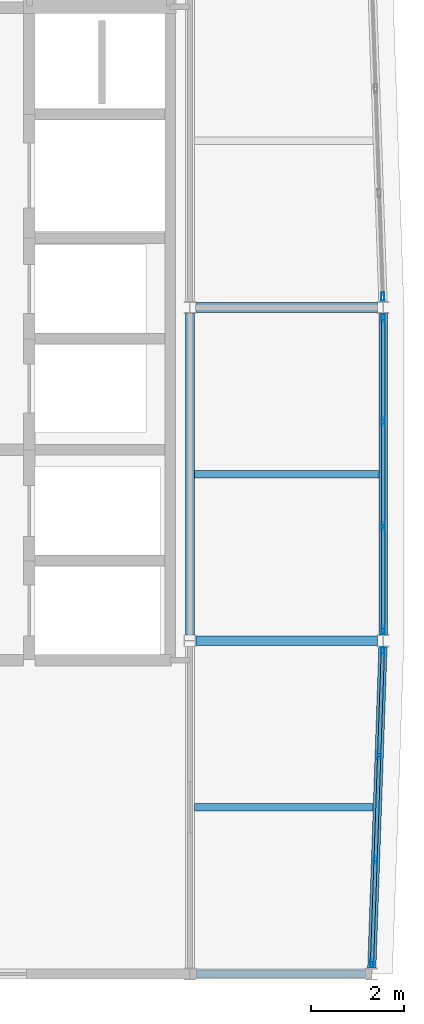
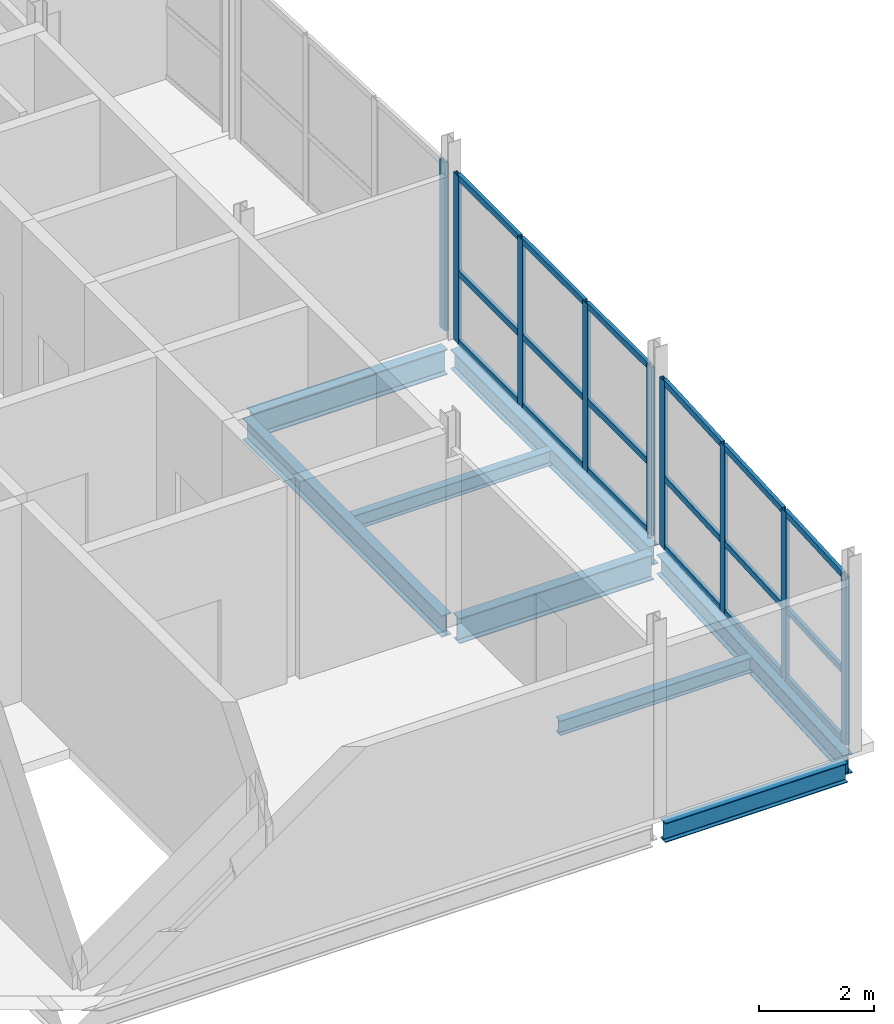
# One storey, part 3 of 14: 27 members, 8 beams, 3 elements without a shape of their own.
"""IFC4 building model written with IfcOpenShell, lengths in metres."""

from ifc_helpers import new_model, si_unit, direction, frame, origin, origin_2d, place, context, subcontext, project, spatial, hollow_rectangle, i_section, extrude, material, layer, layer_set, material_profile, profile_set, type_object, element, aggregate, save


model = new_model("IFC4")

# Units and contexts
model_context = context("Model", 3, precision=1e-05, world=origin(), true_north=direction((0.0, 1.0)))
body_context = subcontext(model_context, "Body", "Model", "MODEL_VIEW")
ifc_project = project(units=[si_unit("LENGTHUNIT", "METRE"), si_unit("AREAUNIT", "SQUARE_METRE"), si_unit("VOLUMEUNIT", "CUBIC_METRE"), si_unit("PLANEANGLEUNIT", "RADIAN"), si_unit("MASSUNIT", "GRAM", prefix="KILO")], contexts=[model_context])

# Site, building, storey
site_placement = place(None, origin())
site = spatial("IfcSite", under=ifc_project, at=site_placement, CompositionType="ELEMENT")
building_placement = place(site_placement, origin())
building = spatial("IfcBuilding", under=site, at=building_placement, Name="Quillay Park Conservatory", CompositionType="ELEMENT")
storey_placement = place(building_placement, frame((0.0, 0.0, 64.5)))
storey = spatial("IfcBuildingStorey", under=building, at=storey_placement, Name="L15", CompositionType="ELEMENT", Elevation=64.5)

# Beams
ifc_material_1 = material(Name="Steel ASTM A992 Grade 50", Category="steel")
ifc_material_profile_1 = material_profile(ifc_material_1, i_section(OverallWidth=0.166015625, OverallDepth=0.31298828125, WebThickness=0.006591796875, FlangeThickness=0.01123046875, FilletRadius=0.010009765625, at=origin_2d()), Name="W310x45")
ifc_profile_set_1 = profile_set([ifc_material_profile_1], Name="Steel ASTM A992 Grade 50")
beam_type_1 = type_object("IfcBeamType", Name="COMPOSITE FLOOR JOIST W310 X45", PredefinedType="JOIST", material=ifc_profile_set_1)
beam_1_placement = place(storey_placement, frame((19.845947265625, 81.60009765625, -0.3564453125), z_axis=(1.0, 0.0, 0.0), x_axis=(0.0, 1.0, 0.0)))
element("IfcBeam", 1, at=beam_1_placement, inside=storey, type_object=beam_type_1, Name="L15 beam BM-J-1021", PredefinedType="JOIST", context=body_context, shape_type="SweptSolid", body=[
    extrude(i_section(OverallWidth=0.166015625, OverallDepth=0.31298828125, WebThickness=0.006591796875, FlangeThickness=0.01123046875, FilletRadius=0.010009765625, at=origin_2d()), origin(), (0.0, 0.0, 1.0), 3.864013671875),
])
beam_2_placement = place(storey_placement, frame((19.845947265625, 88.800048828125, -0.3564453125), z_axis=(1.0, 0.0, 0.0), x_axis=(0.0, 1.0, 0.0)))
element("IfcBeam", 2, at=beam_2_placement, inside=storey, type_object=beam_type_1, Name="L15 beam BM-J-1027", PredefinedType="JOIST", context=body_context, shape_type="SweptSolid", body=[
    extrude(i_section(OverallWidth=0.166015625, OverallDepth=0.31298828125, WebThickness=0.006591796875, FlangeThickness=0.01123046875, FilletRadius=0.010009765625, at=origin_2d()), origin(), (0.0, 0.0, 1.0), 3.989013671875),
])

# Curtain wall, members
ifc_material_2 = material(Name="Thermally Broken Anodised Aluminium 6063-T6", Category="aluminium")
ifc_layer = layer(ifc_material_2, 0.179931640625)
ifc_layer_set = layer_set([ifc_layer], Name="UNITISED CURTAIN WALL TOWER (Thermally Broken Anodised Aluminium 6063-T6)")
curtain_wall_type = type_object("IfcCurtainWallType", Name="UNITISED CURTAIN WALL TOWER", PredefinedType="USERDEFINED", material=ifc_layer_set)
curtain_wall_1_placement = place(storey_placement, origin())
curtain_wall_1 = element("IfcCurtainWall", 3, at=curtain_wall_1_placement, inside=storey, type_object=curtain_wall_type, Name="L15 Unitised Curtain Wall 139", ObjectType="UNITISED CURTAIN WALL", PredefinedType="USERDEFINED")
ifc_material_3 = material(Name="Thermally Broken Anodised Aluminium 6063-T6", Category="aluminium")
ifc_material_profile_2 = material_profile(ifc_material_3, hollow_rectangle(XDim=0.070068359375, YDim=0.179931640625, WallThickness=0.00390625, at=origin_2d()), Name="AL70x180x4")
ifc_profile_set_2 = profile_set([ifc_material_profile_2], Name="Thermally Broken Anodised Aluminium 6063-T6")
member_type_1 = type_object("IfcMemberType", Name="CURTAIN WALL MULLION 70 X180", PredefinedType="MULLION", material=ifc_profile_set_2)
member_1_placement = place(storey_placement, frame((23.9169921875, 84.965087890625, 0.0), z_axis=(0.0, 0.0, 1.0), x_axis=(0.999397310446, -0.034713338537, 0.0)))
member_1 = element("IfcMember", 4, at=member_1_placement, type_object=member_type_1, Name="CW-T1 mullion 1", PredefinedType="MULLION", context=body_context, shape_type="SweptSolid", body=[
    extrude(hollow_rectangle(XDim=0.070068359375, YDim=0.179931640625, WallThickness=0.00390625, at=origin_2d()), origin(), (0.0, 0.0, 1.0), 3.573974609375),
])
member_2_placement = place(storey_placement, frame((23.83935546875, 82.7333984375, 0.0), z_axis=(0.0, 0.0, 1.0), x_axis=(0.999397310446, -0.034713338537, 0.0)))
member_2 = element("IfcMember", 5, at=member_2_placement, type_object=member_type_1, Name="CW-T1 mullion 2", PredefinedType="MULLION", context=body_context, shape_type="SweptSolid", body=[
    extrude(hollow_rectangle(XDim=0.070068359375, YDim=0.179931640625, WallThickness=0.00390625, at=origin_2d()), origin(), (0.0, 0.0, 1.0), 3.573974609375),
])
member_3_placement = place(storey_placement, frame((23.7607421875, 80.466552734375, 0.0), z_axis=(0.0, 0.0, 1.0), x_axis=(0.999397310446, -0.034713338537, 0.0)))
member_3 = element("IfcMember", 6, at=member_3_placement, type_object=member_type_1, Name="CW-T1 mullion 3", PredefinedType="MULLION", context=body_context, shape_type="SweptSolid", body=[
    extrude(hollow_rectangle(XDim=0.070068359375, YDim=0.179931640625, WallThickness=0.00390625, at=origin_2d()), origin(), (0.0, 0.0, 1.0), 3.573974609375),
])
member_4_placement = place(storey_placement, frame((23.68310546875, 78.23486328125, 0.0), z_axis=(0.0, 0.0, 1.0), x_axis=(0.999397310446, -0.034713338537, 0.0)))
member_4 = element("IfcMember", 7, at=member_4_placement, type_object=member_type_1, Name="CW-T1 mullion 4", PredefinedType="MULLION", context=body_context, shape_type="SweptSolid", body=[
    extrude(hollow_rectangle(XDim=0.070068359375, YDim=0.179931640625, WallThickness=0.00390625, at=origin_2d()), origin(), (0.0, 0.0, 1.0), 3.573974609375),
])

curtain_wall_2_placement = place(storey_placement, origin())
curtain_wall_2 = element("IfcCurtainWall", 8, at=curtain_wall_2_placement, inside=storey, type_object=curtain_wall_type, Name="L15 Unitised Curtain Wall 140", ObjectType="UNITISED CURTAIN WALL", PredefinedType="USERDEFINED")
member_5_placement = place(storey_placement, frame((23.925048828125, 92.1650390625, 0.0), z_axis=(0.0, 0.0, 1.0), x_axis=(1.0, 0.0, 0.0)))
member_5 = element("IfcMember", 9, at=member_5_placement, type_object=member_type_1, Name="CW-T1 mullion 1", PredefinedType="MULLION", context=body_context, shape_type="SweptSolid", body=[
    extrude(hollow_rectangle(XDim=0.070068359375, YDim=0.179931640625, WallThickness=0.00390625, at=origin_2d()), origin(), (0.0, 0.0, 1.0), 3.573974609375),
])
member_6_placement = place(storey_placement, frame((23.925048828125, 89.933349609375, 0.0), z_axis=(0.0, 0.0, 1.0), x_axis=(1.0, 0.0, 0.0)))
member_6 = element("IfcMember", 10, at=member_6_placement, type_object=member_type_1, Name="CW-T1 mullion 2", PredefinedType="MULLION", context=body_context, shape_type="SweptSolid", body=[
    extrude(hollow_rectangle(XDim=0.070068359375, YDim=0.179931640625, WallThickness=0.00390625, at=origin_2d()), origin(), (0.0, 0.0, 1.0), 3.573974609375),
])
member_7_placement = place(storey_placement, frame((23.925048828125, 87.666748046875, 0.0), z_axis=(0.0, 0.0, 1.0), x_axis=(1.0, 0.0, 0.0)))
member_7 = element("IfcMember", 11, at=member_7_placement, type_object=member_type_1, Name="CW-T1 mullion 3", PredefinedType="MULLION", context=body_context, shape_type="SweptSolid", body=[
    extrude(hollow_rectangle(XDim=0.070068359375, YDim=0.179931640625, WallThickness=0.00390625, at=origin_2d()), origin(), (0.0, 0.0, 1.0), 3.573974609375),
])
member_8_placement = place(storey_placement, frame((23.925048828125, 85.43505859375, 0.0), z_axis=(0.0, 0.0, 1.0), x_axis=(1.0, 0.0, 0.0)))
member_8 = element("IfcMember", 12, at=member_8_placement, type_object=member_type_1, Name="CW-T1 mullion 4", PredefinedType="MULLION", context=body_context, shape_type="SweptSolid", body=[
    extrude(hollow_rectangle(XDim=0.070068359375, YDim=0.179931640625, WallThickness=0.00390625, at=origin_2d()), origin(), (0.0, 0.0, 1.0), 3.573974609375),
])

# Curtain wall, member
curtain_wall_3_placement = place(storey_placement, origin())
curtain_wall_3 = element("IfcCurtainWall", 13, at=curtain_wall_3_placement, inside=storey, type_object=curtain_wall_type, Name="L15 Unitised Curtain Wall 141", ObjectType="UNITISED CURTAIN WALL", PredefinedType="USERDEFINED")
member_9_placement = place(storey_placement, frame((23.9169921875, 92.634765625, 0.0), z_axis=(0.0, 0.0, 1.0), x_axis=(0.999397310446, 0.034713338537, 0.0)))
member_9 = element("IfcMember", 14, at=member_9_placement, type_object=member_type_1, Name="CW-T1 mullion 4", PredefinedType="MULLION", context=body_context, shape_type="SweptSolid", body=[
    extrude(hollow_rectangle(XDim=0.070068359375, YDim=0.179931640625, WallThickness=0.00390625, at=origin_2d()), origin(), (0.0, 0.0, 1.0), 3.573974609375),
])
aggregate(curtain_wall_3, [member_9])

# Member
ifc_material_4 = material(Name="Thermally Broken Anodised Aluminium 6063-T6", Category="aluminium")
ifc_material_profile_3 = material_profile(ifc_material_4, hollow_rectangle(XDim=0.070068359375, YDim=0.1298828125, WallThickness=0.003173828125, at=origin_2d()), Name="AL70x130x3.2")
ifc_profile_set_3 = profile_set([ifc_material_profile_3], Name="Thermally Broken Anodised Aluminium 6063-T6")
member_type_2 = type_object("IfcMemberType", Name="CURTAIN WALL TRANSOM 70 X130", PredefinedType="USERDEFINED", material=ifc_profile_set_3)
member_10_placement = place(storey_placement, frame((23.915771484375, 84.93017578125, 0.034912109375), z_axis=(-0.034761587249, -0.999395633396, 0.0), x_axis=(0.999395633396, -0.034761587249, 0.0)))
member_10 = element("IfcMember", 15, at=member_10_placement, type_object=member_type_2, Name="CW-T1 transom 1.1", ObjectType="TRANSOM", PredefinedType="USERDEFINED", context=body_context, shape_type="SweptSolid", body=[
    extrude(hollow_rectangle(XDim=0.070068359375, YDim=0.1298828125, WallThickness=0.003173828125, at=origin_2d()), origin(), (0.0, 0.0, 1.0), 2.1630859375),
])

member_11_placement = place(storey_placement, frame((23.915771484375, 84.93017578125, 1.501220703125), z_axis=(-0.034761587249, -0.999395633396, 0.0), x_axis=(0.999395633396, -0.034761587249, 0.0)))
member_11 = element("IfcMember", 16, at=member_11_placement, type_object=member_type_2, Name="CW-T1 transom 1.2", ObjectType="TRANSOM", PredefinedType="USERDEFINED", context=body_context, shape_type="SweptSolid", body=[
    extrude(hollow_rectangle(XDim=0.070068359375, YDim=0.1298828125, WallThickness=0.003173828125, at=origin_2d()), origin(), (0.0, 0.0, 1.0), 2.1630859375),
])

member_12_placement = place(storey_placement, frame((23.915771484375, 84.93017578125, 3.5390625), z_axis=(-0.034761587249, -0.999395633396, 0.0), x_axis=(0.999395633396, -0.034761587249, 0.0)))
member_12 = element("IfcMember", 17, at=member_12_placement, type_object=member_type_2, Name="CW-T1 transom 1.3", ObjectType="TRANSOM", PredefinedType="USERDEFINED", context=body_context, shape_type="SweptSolid", body=[
    extrude(hollow_rectangle(XDim=0.070068359375, YDim=0.1298828125, WallThickness=0.003173828125, at=origin_2d()), origin(), (0.0, 0.0, 1.0), 2.1630859375),
])

member_13_placement = place(storey_placement, frame((23.838134765625, 82.698486328125, 0.034912109375), z_axis=(-0.034653546152, -0.999399385501, 0.0), x_axis=(0.999399385501, -0.034653546152, 0.0)))
member_13 = element("IfcMember", 18, at=member_13_placement, type_object=member_type_2, Name="CW-T1 transom 2.1", ObjectType="TRANSOM", PredefinedType="USERDEFINED", context=body_context, shape_type="SweptSolid", body=[
    extrude(hollow_rectangle(XDim=0.070068359375, YDim=0.1298828125, WallThickness=0.003173828125, at=origin_2d()), origin(), (0.0, 0.0, 1.0), 2.197998046875),
])

member_14_placement = place(storey_placement, frame((23.838134765625, 82.698486328125, 1.501220703125), z_axis=(-0.034653546152, -0.999399385501, 0.0), x_axis=(0.999399385501, -0.034653546152, 0.0)))
member_14 = element("IfcMember", 19, at=member_14_placement, type_object=member_type_2, Name="CW-T1 transom 2.2", ObjectType="TRANSOM", PredefinedType="USERDEFINED", context=body_context, shape_type="SweptSolid", body=[
    extrude(hollow_rectangle(XDim=0.070068359375, YDim=0.1298828125, WallThickness=0.003173828125, at=origin_2d()), origin(), (0.0, 0.0, 1.0), 2.197998046875),
])

member_15_placement = place(storey_placement, frame((23.838134765625, 82.698486328125, 3.5390625), z_axis=(-0.034653546152, -0.999399385501, 0.0), x_axis=(0.999399385501, -0.034653546152, 0.0)))
member_15 = element("IfcMember", 20, at=member_15_placement, type_object=member_type_2, Name="CW-T1 transom 2.3", ObjectType="TRANSOM", PredefinedType="USERDEFINED", context=body_context, shape_type="SweptSolid", body=[
    extrude(hollow_rectangle(XDim=0.070068359375, YDim=0.1298828125, WallThickness=0.003173828125, at=origin_2d()), origin(), (0.0, 0.0, 1.0), 2.197998046875),
])

member_16_placement = place(storey_placement, frame((23.759521484375, 80.431640625, 0.034912109375), z_axis=(-0.034761587249, -0.999395633396, 0.0), x_axis=(0.999395633396, -0.034761587249, 0.0)))
member_16 = element("IfcMember", 21, at=member_16_placement, type_object=member_type_2, Name="CW-T1 transom 3.1", ObjectType="TRANSOM", PredefinedType="USERDEFINED", context=body_context, shape_type="SweptSolid", body=[
    extrude(hollow_rectangle(XDim=0.070068359375, YDim=0.1298828125, WallThickness=0.003173828125, at=origin_2d()), origin(), (0.0, 0.0, 1.0), 2.1630859375),
])

member_17_placement = place(storey_placement, frame((23.759521484375, 80.431640625, 1.501220703125), z_axis=(-0.034761587249, -0.999395633396, 0.0), x_axis=(0.999395633396, -0.034761587249, 0.0)))
member_17 = element("IfcMember", 22, at=member_17_placement, type_object=member_type_2, Name="CW-T1 transom 3.2", ObjectType="TRANSOM", PredefinedType="USERDEFINED", context=body_context, shape_type="SweptSolid", body=[
    extrude(hollow_rectangle(XDim=0.070068359375, YDim=0.1298828125, WallThickness=0.003173828125, at=origin_2d()), origin(), (0.0, 0.0, 1.0), 2.1630859375),
])

member_18_placement = place(storey_placement, frame((23.759521484375, 80.431640625, 3.5390625), z_axis=(-0.034761587249, -0.999395633396, 0.0), x_axis=(0.999395633396, -0.034761587249, 0.0)))
member_18 = element("IfcMember", 23, at=member_18_placement, type_object=member_type_2, Name="CW-T1 transom 3.3", ObjectType="TRANSOM", PredefinedType="USERDEFINED", context=body_context, shape_type="SweptSolid", body=[
    extrude(hollow_rectangle(XDim=0.070068359375, YDim=0.1298828125, WallThickness=0.003173828125, at=origin_2d()), origin(), (0.0, 0.0, 1.0), 2.1630859375),
])

aggregate(curtain_wall_1, [member_1, member_2, member_3, member_4, member_10, member_11, member_12, member_13, member_14, member_15, member_16, member_17, member_18])

member_19_placement = place(storey_placement, frame((23.925048828125, 92.1298828125, 0.034912109375), z_axis=(0.0, -1.0, 0.0), x_axis=(1.0, 0.0, 0.0)))
member_19 = element("IfcMember", 24, at=member_19_placement, type_object=member_type_2, Name="CW-T1 transom 1.1", ObjectType="TRANSOM", PredefinedType="USERDEFINED", context=body_context, shape_type="SweptSolid", body=[
    extrude(hollow_rectangle(XDim=0.070068359375, YDim=0.1298828125, WallThickness=0.003173828125, at=origin_2d()), origin(), (0.0, 0.0, 1.0), 2.16162109375),
])

member_20_placement = place(storey_placement, frame((23.925048828125, 92.1298828125, 1.501220703125), z_axis=(0.0, -1.0, 0.0), x_axis=(1.0, 0.0, 0.0)))
member_20 = element("IfcMember", 25, at=member_20_placement, type_object=member_type_2, Name="CW-T1 transom 1.2", ObjectType="TRANSOM", PredefinedType="USERDEFINED", context=body_context, shape_type="SweptSolid", body=[
    extrude(hollow_rectangle(XDim=0.070068359375, YDim=0.1298828125, WallThickness=0.003173828125, at=origin_2d()), origin(), (0.0, 0.0, 1.0), 2.16162109375),
])

member_21_placement = place(storey_placement, frame((23.925048828125, 92.1298828125, 3.5390625), z_axis=(0.0, -1.0, 0.0), x_axis=(1.0, 0.0, 0.0)))
member_21 = element("IfcMember", 26, at=member_21_placement, type_object=member_type_2, Name="CW-T1 transom 1.3", ObjectType="TRANSOM", PredefinedType="USERDEFINED", context=body_context, shape_type="SweptSolid", body=[
    extrude(hollow_rectangle(XDim=0.070068359375, YDim=0.1298828125, WallThickness=0.003173828125, at=origin_2d()), origin(), (0.0, 0.0, 1.0), 2.16162109375),
])

member_22_placement = place(storey_placement, frame((23.925048828125, 89.8984375, 0.034912109375), z_axis=(0.0, -1.0, 0.0), x_axis=(1.0, 0.0, 0.0)))
member_22 = element("IfcMember", 27, at=member_22_placement, type_object=member_type_2, Name="CW-T1 transom 2.1", ObjectType="TRANSOM", PredefinedType="USERDEFINED", context=body_context, shape_type="SweptSolid", body=[
    extrude(hollow_rectangle(XDim=0.070068359375, YDim=0.1298828125, WallThickness=0.003173828125, at=origin_2d()), origin(), (0.0, 0.0, 1.0), 2.19677734375),
])

member_23_placement = place(storey_placement, frame((23.925048828125, 89.8984375, 1.501220703125), z_axis=(0.0, -1.0, 0.0), x_axis=(1.0, 0.0, 0.0)))
member_23 = element("IfcMember", 28, at=member_23_placement, type_object=member_type_2, Name="CW-T1 transom 2.2", ObjectType="TRANSOM", PredefinedType="USERDEFINED", context=body_context, shape_type="SweptSolid", body=[
    extrude(hollow_rectangle(XDim=0.070068359375, YDim=0.1298828125, WallThickness=0.003173828125, at=origin_2d()), origin(), (0.0, 0.0, 1.0), 2.19677734375),
])

member_24_placement = place(storey_placement, frame((23.925048828125, 89.8984375, 3.5390625), z_axis=(0.0, -1.0, 0.0), x_axis=(1.0, 0.0, 0.0)))
member_24 = element("IfcMember", 29, at=member_24_placement, type_object=member_type_2, Name="CW-T1 transom 2.3", ObjectType="TRANSOM", PredefinedType="USERDEFINED", context=body_context, shape_type="SweptSolid", body=[
    extrude(hollow_rectangle(XDim=0.070068359375, YDim=0.1298828125, WallThickness=0.003173828125, at=origin_2d()), origin(), (0.0, 0.0, 1.0), 2.19677734375),
])

member_25_placement = place(storey_placement, frame((23.925048828125, 87.631591796875, 0.034912109375), z_axis=(0.0, -1.0, 0.0), x_axis=(1.0, 0.0, 0.0)))
member_25 = element("IfcMember", 30, at=member_25_placement, type_object=member_type_2, Name="CW-T1 transom 3.1", ObjectType="TRANSOM", PredefinedType="USERDEFINED", context=body_context, shape_type="SweptSolid", body=[
    extrude(hollow_rectangle(XDim=0.070068359375, YDim=0.1298828125, WallThickness=0.003173828125, at=origin_2d()), origin(), (0.0, 0.0, 1.0), 2.16162109375),
])

member_26_placement = place(storey_placement, frame((23.925048828125, 87.631591796875, 1.501220703125), z_axis=(0.0, -1.0, 0.0), x_axis=(1.0, 0.0, 0.0)))
member_26 = element("IfcMember", 31, at=member_26_placement, type_object=member_type_2, Name="CW-T1 transom 3.2", ObjectType="TRANSOM", PredefinedType="USERDEFINED", context=body_context, shape_type="SweptSolid", body=[
    extrude(hollow_rectangle(XDim=0.070068359375, YDim=0.1298828125, WallThickness=0.003173828125, at=origin_2d()), origin(), (0.0, 0.0, 1.0), 2.16162109375),
])

member_27_placement = place(storey_placement, frame((23.925048828125, 87.631591796875, 3.5390625), z_axis=(0.0, -1.0, 0.0), x_axis=(1.0, 0.0, 0.0)))
member_27 = element("IfcMember", 32, at=member_27_placement, type_object=member_type_2, Name="CW-T1 transom 3.3", ObjectType="TRANSOM", PredefinedType="USERDEFINED", context=body_context, shape_type="SweptSolid", body=[
    extrude(hollow_rectangle(XDim=0.070068359375, YDim=0.1298828125, WallThickness=0.003173828125, at=origin_2d()), origin(), (0.0, 0.0, 1.0), 2.16162109375),
])

aggregate(curtain_wall_2, [member_5, member_6, member_7, member_8, member_19, member_20, member_21, member_22, member_23, member_24, member_25, member_26, member_27])

# Beams
ifc_material_5 = material(Name="Steel ASTM A992 Grade 50", Category="steel")
ifc_material_profile_4 = material_profile(ifc_material_5, i_section(OverallWidth=0.179931640625, OverallDepth=0.4130859375, WebThickness=0.009765625, FlangeThickness=0.01611328125, FilletRadius=0.011962890625, at=origin_2d()), Name="W410x74")
ifc_profile_set_4 = profile_set([ifc_material_profile_4], Name="Steel ASTM A992 Grade 50")
beam_type_2 = type_object("IfcBeamType", Name="PERIMETER SPANDREL BEAM W410 X74", PredefinedType="SPANDREL", material=ifc_profile_set_4)
beam_3_placement = place(storey_placement, frame((19.8779296875, 78.0, -0.406494140625), z_axis=(1.0, 0.0, 0.0), x_axis=(0.0, 1.0, 0.0)))
element("IfcBeam", 33, at=beam_3_placement, inside=storey, type_object=beam_type_2, Name="L15 beam BM-SP-1002", PredefinedType="SPANDREL", context=body_context, shape_type="SweptSolid", body=[
    extrude(i_section(OverallWidth=0.179931640625, OverallDepth=0.4130859375, WebThickness=0.009765625, FlangeThickness=0.01611328125, FilletRadius=0.011962890625, at=origin_2d()), origin(), (0.0, 0.0, 1.0), 3.669189453125),
])
beam_4_placement = place(storey_placement, frame((23.679443359375, 78.1298828125, -0.406494140625), z_axis=(0.034699603061, 0.999397787444, 0.0), x_axis=(-0.999397787444, 0.034699603061, 0.0)))
element("IfcBeam", 34, at=beam_4_placement, inside=storey, type_object=beam_type_2, Name="L15 beam BM-SPE-1017", PredefinedType="SPANDREL", context=body_context, shape_type="SweptSolid", body=[
    extrude(i_section(OverallWidth=0.179931640625, OverallDepth=0.4130859375, WebThickness=0.009765625, FlangeThickness=0.01611328125, FilletRadius=0.011962890625, at=origin_2d()), origin(), (0.0, 0.0, 1.0), 6.9443359375),
])
beam_5_placement = place(storey_placement, frame((23.925048828125, 85.330078125, -0.406494140625), z_axis=(0.0, 1.0, 0.0), x_axis=(-1.0, 0.0, 0.0)))
element("IfcBeam", 35, at=beam_5_placement, inside=storey, type_object=beam_type_2, Name="L15 beam BM-SPE-1023", PredefinedType="SPANDREL", context=body_context, shape_type="SweptSolid", body=[
    extrude(i_section(OverallWidth=0.179931640625, OverallDepth=0.4130859375, WebThickness=0.009765625, FlangeThickness=0.01611328125, FilletRadius=0.011962890625, at=origin_2d()), origin(), (0.0, 0.0, 1.0), 6.93994140625),
])
ifc_material_6 = material(Name="Steel ASTM A992 Grade 50", Category="steel")
ifc_material_profile_5 = material_profile(ifc_material_6, i_section(OverallWidth=0.19189453125, OverallDepth=0.462890625, WebThickness=0.010498046875, FlangeThickness=0.017578125, FilletRadius=0.012939453125, at=origin_2d()), Name="W460x89")
ifc_profile_set_5 = profile_set([ifc_material_profile_5], Name="Steel ASTM A992 Grade 50")
beam_type_3 = type_object("IfcBeamType", Name="PRIMARY FLOOR GIRDER W460 X89", PredefinedType="BEAM", material=ifc_profile_set_5)
beam_6_placement = place(storey_placement, frame((19.75, 85.327880859375, -0.431396484375), z_axis=(0.0, 1.0, 0.0), x_axis=(-1.0, 0.0, 0.0)))
element("IfcBeam", 36, at=beam_6_placement, inside=storey, type_object=beam_type_3, Name="L15 beam BM-GNS-1025", PredefinedType="BEAM", context=body_context, shape_type="SweptSolid", body=[
    extrude(i_section(OverallWidth=0.19189453125, OverallDepth=0.462890625, WebThickness=0.010498046875, FlangeThickness=0.017578125, FilletRadius=0.012939453125, at=origin_2d()), origin(), (0.0, 0.0, 1.0), 6.942138671875),
])
ifc_material_7 = material(Name="Steel ASTM A992 Grade 50", Category="steel")
ifc_material_profile_6 = material_profile(ifc_material_7, i_section(OverallWidth=0.2109375, OverallDepth=0.5390625, WebThickness=0.01171875, FlangeThickness=0.018798828125, FilletRadius=0.013916015625, at=origin_2d()), Name="W530x109")
ifc_profile_set_6 = profile_set([ifc_material_profile_6], Name="Steel ASTM A992 Grade 50")
beam_type_4 = type_object("IfcBeamType", Name="PRIMARY FLOOR GIRDER W530 X109", PredefinedType="BEAM", material=ifc_profile_set_6)
beam_7_placement = place(storey_placement, frame((19.8798828125, 85.199951171875, -0.469482421875), z_axis=(1.0, 0.0, 0.0), x_axis=(0.0, 1.0, 0.0)))
element("IfcBeam", 37, at=beam_7_placement, inside=storey, type_object=beam_type_4, Name="L15 beam BM-G-1004", PredefinedType="BEAM", context=body_context, shape_type="SweptSolid", body=[
    extrude(i_section(OverallWidth=0.2109375, OverallDepth=0.5390625, WebThickness=0.01171875, FlangeThickness=0.018798828125, FilletRadius=0.013916015625, at=origin_2d()), origin(), (0.0, 0.0, 1.0), 3.917236328125),
])
beam_8_placement = place(storey_placement, frame((19.8779296875, 92.39990234375, -0.469482421875), z_axis=(1.0, 0.0, 0.0), x_axis=(0.0, 1.0, 0.0)))
element("IfcBeam", 38, at=beam_8_placement, inside=storey, type_object=beam_type_4, Name="L15 beam BM-G-1006", PredefinedType="BEAM", context=body_context, shape_type="SweptSolid", body=[
    extrude(i_section(OverallWidth=0.2109375, OverallDepth=0.5390625, WebThickness=0.01171875, FlangeThickness=0.018798828125, FilletRadius=0.013916015625, at=origin_2d()), origin(), (0.0, 0.0, 1.0), 3.919189453125),
])

save(model, "model.ifc")
